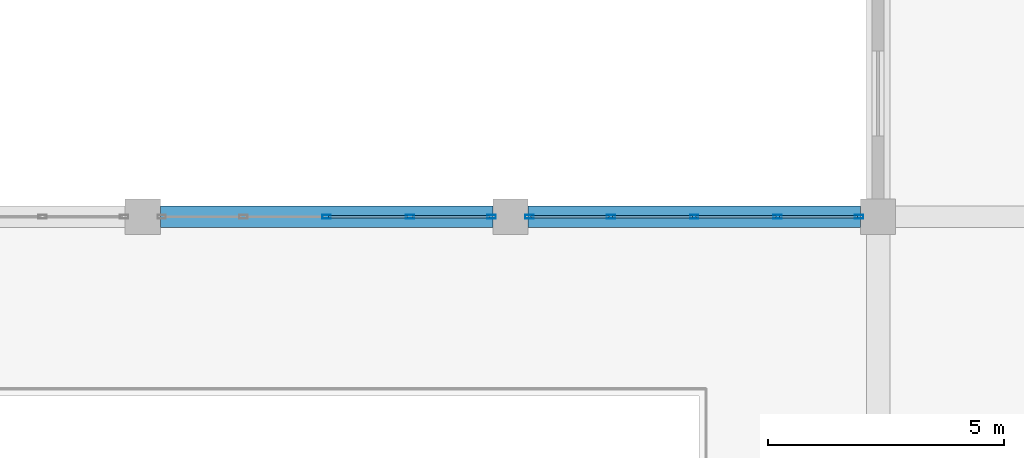
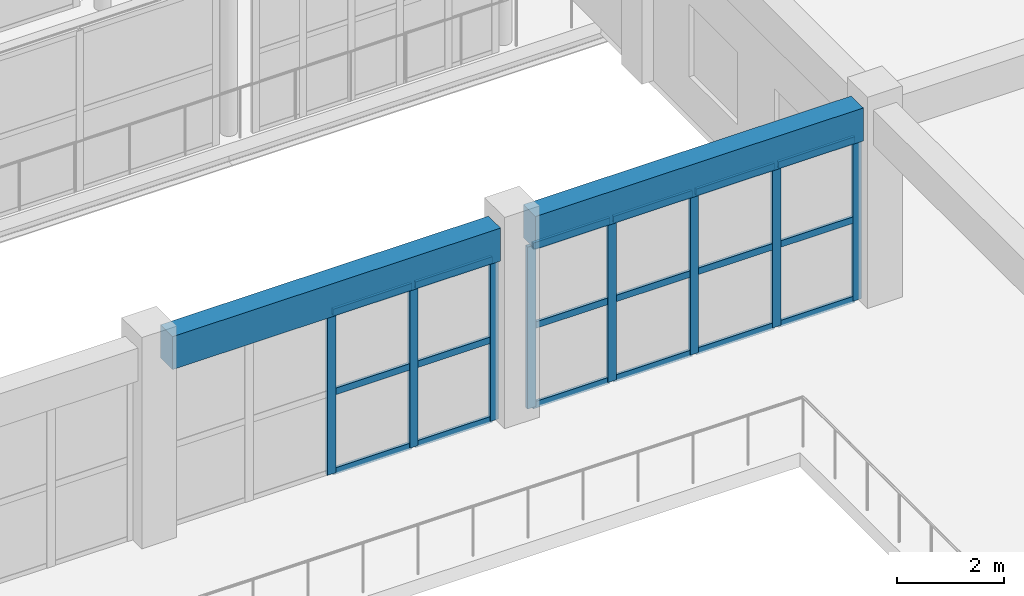
# One storey, part 52 of 175: 26 members, 2 beams, 2 elements without a shape of their own.
"""IFC4 building model written with IfcOpenShell, lengths in metres."""

from ifc_helpers import new_model, si_unit, direction, frame, origin, origin_2d, place, context, subcontext, project, spatial, rectangle, hollow_rectangle, extrude, material, layer, layer_set, material_profile, profile_set, type_object, element, aggregate, save


model = new_model("IFC4")

# Units and contexts
model_context = context("Model", 3, precision=1e-05, world=origin(), true_north=direction((0.0, 1.0)))
body_context = subcontext(model_context, "Body", "Model", "MODEL_VIEW")
ifc_project = project(units=[si_unit("LENGTHUNIT", "METRE"), si_unit("AREAUNIT", "SQUARE_METRE"), si_unit("VOLUMEUNIT", "CUBIC_METRE"), si_unit("PLANEANGLEUNIT", "RADIAN"), si_unit("MASSUNIT", "GRAM", prefix="KILO")], contexts=[model_context])

# Site, building, storey
site_placement = place(None, origin())
site = spatial("IfcSite", under=ifc_project, at=site_placement, CompositionType="ELEMENT")
building_placement = place(site_placement, origin())
building = spatial("IfcBuilding", under=site, at=building_placement, Name="Zizhar Promenade General Hospital", CompositionType="ELEMENT")
storey_placement = place(building_placement, frame((0.0, 0.0, 4.800048828125)))
storey = spatial("IfcBuildingStorey", under=building, at=storey_placement, Name="L01", CompositionType="ELEMENT", Elevation=4.800048828125)

# Beams
ifc_material_1 = material(Name="Concrete C35/45", Category="concrete")
ifc_material_profile_1 = material_profile(ifc_material_1, rectangle(XDim=0.449951171875, YDim=0.75, at=origin_2d()))
ifc_profile_set_1 = profile_set([ifc_material_profile_1], Name="Concrete C35/45")
beam_type = type_object("IfcBeamType", Name="BM-RC-450x750", PredefinedType="BEAM", material=ifc_profile_set_1)
for number, where, z_axis, x_axis, name in (
    (1, (109.574951171875, 50.39990234375, 4.094970703125), (1.0, 0.0, 0.0), (0.0, 1.0, 0.0), "Grid Beam X L01 (14-6)"),
    (2, (117.375, 50.39990234375, 4.094970703125), (1.0, 0.0, 0.0), (0.0, 1.0, 0.0), "Grid Beam X L01 (15-6)"),
):
    element("IfcBeam", number, at=place(storey_placement, frame(where, z_axis=z_axis, x_axis=x_axis)), inside=storey, type_object=beam_type, Name=name, PredefinedType="BEAM", context=body_context, shape_type="SweptSolid", body=[
        extrude(rectangle(XDim=0.449951171875, YDim=0.75, at=origin_2d()), origin(), (0.0, 0.0, 1.0), 7.050048828125),
    ])

# Curtain wall, members
ifc_material_2 = material(Name="Anodised aluminium 6063-T6 and low-E glass", Category="aluminium")
ifc_layer = layer(ifc_material_2, 0.159912109375)
ifc_layer_set = layer_set([ifc_layer], Name="Anodised aluminium 6063-T6 and low-E glass")
curtain_wall_type = type_object("IfcCurtainWallType", Name="CW-HALL-N", PredefinedType="NOTDEFINED", material=ifc_layer_set)
curtain_wall_1_placement = place(storey_placement, origin())
curtain_wall_1 = element("IfcCurtainWall", 3, at=curtain_wall_1_placement, inside=storey, type_object=curtain_wall_type, Name="Main Hall Courtyard Curtain Wall L01-14", PredefinedType="NOTDEFINED")
ifc_material_3 = material(Name="Anodised aluminium 6063-T6", Category="aluminium")
ifc_material_profile_2 = material_profile(ifc_material_3, hollow_rectangle(XDim=0.080078125, YDim=0.179931640625, WallThickness=0.0048828125, at=origin_2d()))
ifc_profile_set_2 = profile_set([ifc_material_profile_2], Name="Anodised aluminium 6063-T6")
member_type_1 = type_object("IfcMemberType", Name="CWM-ALU-180x80", PredefinedType="MULLION", material=ifc_profile_set_2)
member_1_placement = place(storey_placement, frame((113.10009765625, 50.39990234375, 0.0), z_axis=(0.0, 0.0, 1.0), x_axis=(0.0, 1.0, 0.0)))
member_1 = element("IfcMember", 4, at=member_1_placement, type_object=member_type_1, Name="CW-02 mullion 3", PredefinedType="MULLION", context=body_context, shape_type="SweptSolid", body=[
    extrude(hollow_rectangle(XDim=0.080078125, YDim=0.179931640625, WallThickness=0.0048828125, at=origin_2d()), origin(), (0.0, 0.0, 1.0), 3.679931640625),
])
member_2_placement = place(storey_placement, frame((114.8701171875, 50.39990234375, 0.0), z_axis=(0.0, 0.0, 1.0), x_axis=(0.0, 1.0, 0.0)))
member_2 = element("IfcMember", 5, at=member_2_placement, type_object=member_type_1, Name="CW-02 mullion 4", PredefinedType="MULLION", context=body_context, shape_type="SweptSolid", body=[
    extrude(hollow_rectangle(XDim=0.080078125, YDim=0.179931640625, WallThickness=0.0048828125, at=origin_2d()), origin(), (0.0, 0.0, 1.0), 3.679931640625),
])
member_3_placement = place(storey_placement, frame((116.60009765625, 50.39990234375, 0.0), z_axis=(0.0, 0.0, 1.0), x_axis=(0.0, 1.0, 0.0)))
member_3 = element("IfcMember", 6, at=member_3_placement, type_object=member_type_1, Name="CW-02 mullion 5", PredefinedType="MULLION", context=body_context, shape_type="SweptSolid", body=[
    extrude(hollow_rectangle(XDim=0.080078125, YDim=0.179931640625, WallThickness=0.0048828125, at=origin_2d()), origin(), (0.0, 0.0, 1.0), 3.679931640625),
])

curtain_wall_2_placement = place(storey_placement, origin())
curtain_wall_2 = element("IfcCurtainWall", 7, at=curtain_wall_2_placement, inside=storey, type_object=curtain_wall_type, Name="Main Hall Courtyard Curtain Wall L01-15", PredefinedType="NOTDEFINED")
member_4_placement = place(storey_placement, frame((117.39990234375, 50.39990234375, 0.0), z_axis=(0.0, 0.0, 1.0), x_axis=(0.0, 1.0, 0.0)))
member_4 = element("IfcMember", 8, at=member_4_placement, type_object=member_type_1, Name="CW-02 mullion 1", PredefinedType="MULLION", context=body_context, shape_type="SweptSolid", body=[
    extrude(hollow_rectangle(XDim=0.080078125, YDim=0.179931640625, WallThickness=0.0048828125, at=origin_2d()), origin(), (0.0, 0.0, 1.0), 3.679931640625),
])
member_5_placement = place(storey_placement, frame((119.1298828125, 50.39990234375, 0.0), z_axis=(0.0, 0.0, 1.0), x_axis=(0.0, 1.0, 0.0)))
member_5 = element("IfcMember", 9, at=member_5_placement, type_object=member_type_1, Name="CW-02 mullion 2", PredefinedType="MULLION", context=body_context, shape_type="SweptSolid", body=[
    extrude(hollow_rectangle(XDim=0.080078125, YDim=0.179931640625, WallThickness=0.0048828125, at=origin_2d()), origin(), (0.0, 0.0, 1.0), 3.679931640625),
])
member_6_placement = place(storey_placement, frame((120.89990234375, 50.39990234375, 0.0), z_axis=(0.0, 0.0, 1.0), x_axis=(0.0, 1.0, 0.0)))
member_6 = element("IfcMember", 10, at=member_6_placement, type_object=member_type_1, Name="CW-02 mullion 3", PredefinedType="MULLION", context=body_context, shape_type="SweptSolid", body=[
    extrude(hollow_rectangle(XDim=0.080078125, YDim=0.179931640625, WallThickness=0.0048828125, at=origin_2d()), origin(), (0.0, 0.0, 1.0), 3.679931640625),
])
member_7_placement = place(storey_placement, frame((122.669921875, 50.39990234375, 0.0), z_axis=(0.0, 0.0, 1.0), x_axis=(0.0, 1.0, 0.0)))
member_7 = element("IfcMember", 11, at=member_7_placement, type_object=member_type_1, Name="CW-02 mullion 4", PredefinedType="MULLION", context=body_context, shape_type="SweptSolid", body=[
    extrude(hollow_rectangle(XDim=0.080078125, YDim=0.179931640625, WallThickness=0.0048828125, at=origin_2d()), origin(), (0.0, 0.0, 1.0), 3.679931640625),
])
member_8_placement = place(storey_placement, frame((124.39990234375, 50.39990234375, 0.0), z_axis=(0.0, 0.0, 1.0), x_axis=(0.0, 1.0, 0.0)))
member_8 = element("IfcMember", 12, at=member_8_placement, type_object=member_type_1, Name="CW-02 mullion 5", PredefinedType="MULLION", context=body_context, shape_type="SweptSolid", body=[
    extrude(hollow_rectangle(XDim=0.080078125, YDim=0.179931640625, WallThickness=0.0048828125, at=origin_2d()), origin(), (0.0, 0.0, 1.0), 3.679931640625),
])

# Member
ifc_material_4 = material(Name="Anodised aluminium 6063-T6", Category="aluminium")
ifc_material_profile_3 = material_profile(ifc_material_4, hollow_rectangle(XDim=0.06005859375, YDim=0.14990234375, WallThickness=0.00390625, at=origin_2d()))
ifc_profile_set_3 = profile_set([ifc_material_profile_3], Name="Anodised aluminium 6063-T6")
member_type_2 = type_object("IfcMemberType", Name="CWT-ALU-150x60", PredefinedType="USERDEFINED", material=ifc_profile_set_3)
member_9_placement = place(storey_placement, frame((113.139892578125, 50.39990234375, 0.030029296875), z_axis=(1.0, 0.0, 0.0), x_axis=(0.0, 1.0, 0.0)))
member_9 = element("IfcMember", 13, at=member_9_placement, type_object=member_type_2, Name="CW-02 transom 3.1", ObjectType="TRANSOM", PredefinedType="USERDEFINED", context=body_context, shape_type="SweptSolid", body=[
    extrude(hollow_rectangle(XDim=0.06005859375, YDim=0.14990234375, WallThickness=0.00390625, at=origin_2d()), origin(), (0.0, 0.0, 1.0), 1.690185546875),
])

member_10_placement = place(storey_placement, frame((113.139892578125, 50.39990234375, 1.83984375), z_axis=(1.0, 0.0, 0.0), x_axis=(0.0, 1.0, 0.0)))
member_10 = element("IfcMember", 14, at=member_10_placement, type_object=member_type_2, Name="CW-02 transom 3.2", ObjectType="TRANSOM", PredefinedType="USERDEFINED", context=body_context, shape_type="SweptSolid", body=[
    extrude(hollow_rectangle(XDim=0.06005859375, YDim=0.14990234375, WallThickness=0.00390625, at=origin_2d()), origin(), (0.0, 0.0, 1.0), 1.690185546875),
])

member_11_placement = place(storey_placement, frame((113.139892578125, 50.39990234375, 3.64990234375), z_axis=(1.0, 0.0, 0.0), x_axis=(0.0, 1.0, 0.0)))
member_11 = element("IfcMember", 15, at=member_11_placement, type_object=member_type_2, Name="CW-02 transom 3.3", ObjectType="TRANSOM", PredefinedType="USERDEFINED", context=body_context, shape_type="SweptSolid", body=[
    extrude(hollow_rectangle(XDim=0.06005859375, YDim=0.14990234375, WallThickness=0.00390625, at=origin_2d()), origin(), (0.0, 0.0, 1.0), 1.690185546875),
])

member_12_placement = place(storey_placement, frame((114.909912109375, 50.39990234375, 0.030029296875), z_axis=(1.0, 0.0, 0.0), x_axis=(0.0, 1.0, 0.0)))
member_12 = element("IfcMember", 16, at=member_12_placement, type_object=member_type_2, Name="CW-02 transom 4.1", ObjectType="TRANSOM", PredefinedType="USERDEFINED", context=body_context, shape_type="SweptSolid", body=[
    extrude(hollow_rectangle(XDim=0.06005859375, YDim=0.14990234375, WallThickness=0.00390625, at=origin_2d()), origin(), (0.0, 0.0, 1.0), 1.650146484375),
])

member_13_placement = place(storey_placement, frame((114.909912109375, 50.39990234375, 1.83984375), z_axis=(1.0, 0.0, 0.0), x_axis=(0.0, 1.0, 0.0)))
member_13 = element("IfcMember", 17, at=member_13_placement, type_object=member_type_2, Name="CW-02 transom 4.2", ObjectType="TRANSOM", PredefinedType="USERDEFINED", context=body_context, shape_type="SweptSolid", body=[
    extrude(hollow_rectangle(XDim=0.06005859375, YDim=0.14990234375, WallThickness=0.00390625, at=origin_2d()), origin(), (0.0, 0.0, 1.0), 1.650146484375),
])

member_14_placement = place(storey_placement, frame((114.909912109375, 50.39990234375, 3.64990234375), z_axis=(1.0, 0.0, 0.0), x_axis=(0.0, 1.0, 0.0)))
member_14 = element("IfcMember", 18, at=member_14_placement, type_object=member_type_2, Name="CW-02 transom 4.3", ObjectType="TRANSOM", PredefinedType="USERDEFINED", context=body_context, shape_type="SweptSolid", body=[
    extrude(hollow_rectangle(XDim=0.06005859375, YDim=0.14990234375, WallThickness=0.00390625, at=origin_2d()), origin(), (0.0, 0.0, 1.0), 1.650146484375),
])

aggregate(curtain_wall_1, [member_1, member_2, member_3, member_9, member_10, member_11, member_12, member_13, member_14])

member_15_placement = place(storey_placement, frame((117.43994140625, 50.39990234375, 0.030029296875), z_axis=(1.0, 0.0, 0.0), x_axis=(0.0, 1.0, 0.0)))
member_15 = element("IfcMember", 19, at=member_15_placement, type_object=member_type_2, Name="CW-02 transom 1.1", ObjectType="TRANSOM", PredefinedType="USERDEFINED", context=body_context, shape_type="SweptSolid", body=[
    extrude(hollow_rectangle(XDim=0.06005859375, YDim=0.14990234375, WallThickness=0.00390625, at=origin_2d()), origin(), (0.0, 0.0, 1.0), 1.650146484375),
])

member_16_placement = place(storey_placement, frame((117.43994140625, 50.39990234375, 1.83984375), z_axis=(1.0, 0.0, 0.0), x_axis=(0.0, 1.0, 0.0)))
member_16 = element("IfcMember", 20, at=member_16_placement, type_object=member_type_2, Name="CW-02 transom 1.2", ObjectType="TRANSOM", PredefinedType="USERDEFINED", context=body_context, shape_type="SweptSolid", body=[
    extrude(hollow_rectangle(XDim=0.06005859375, YDim=0.14990234375, WallThickness=0.00390625, at=origin_2d()), origin(), (0.0, 0.0, 1.0), 1.650146484375),
])

member_17_placement = place(storey_placement, frame((117.43994140625, 50.39990234375, 3.64990234375), z_axis=(1.0, 0.0, 0.0), x_axis=(0.0, 1.0, 0.0)))
member_17 = element("IfcMember", 21, at=member_17_placement, type_object=member_type_2, Name="CW-02 transom 1.3", ObjectType="TRANSOM", PredefinedType="USERDEFINED", context=body_context, shape_type="SweptSolid", body=[
    extrude(hollow_rectangle(XDim=0.06005859375, YDim=0.14990234375, WallThickness=0.00390625, at=origin_2d()), origin(), (0.0, 0.0, 1.0), 1.650146484375),
])

member_18_placement = place(storey_placement, frame((119.169921875, 50.39990234375, 0.030029296875), z_axis=(1.0, 0.0, 0.0), x_axis=(0.0, 1.0, 0.0)))
member_18 = element("IfcMember", 22, at=member_18_placement, type_object=member_type_2, Name="CW-02 transom 2.1", ObjectType="TRANSOM", PredefinedType="USERDEFINED", context=body_context, shape_type="SweptSolid", body=[
    extrude(hollow_rectangle(XDim=0.06005859375, YDim=0.14990234375, WallThickness=0.00390625, at=origin_2d()), origin(), (0.0, 0.0, 1.0), 1.690185546875),
])

member_19_placement = place(storey_placement, frame((119.169921875, 50.39990234375, 1.83984375), z_axis=(1.0, 0.0, 0.0), x_axis=(0.0, 1.0, 0.0)))
member_19 = element("IfcMember", 23, at=member_19_placement, type_object=member_type_2, Name="CW-02 transom 2.2", ObjectType="TRANSOM", PredefinedType="USERDEFINED", context=body_context, shape_type="SweptSolid", body=[
    extrude(hollow_rectangle(XDim=0.06005859375, YDim=0.14990234375, WallThickness=0.00390625, at=origin_2d()), origin(), (0.0, 0.0, 1.0), 1.690185546875),
])

member_20_placement = place(storey_placement, frame((119.169921875, 50.39990234375, 3.64990234375), z_axis=(1.0, 0.0, 0.0), x_axis=(0.0, 1.0, 0.0)))
member_20 = element("IfcMember", 24, at=member_20_placement, type_object=member_type_2, Name="CW-02 transom 2.3", ObjectType="TRANSOM", PredefinedType="USERDEFINED", context=body_context, shape_type="SweptSolid", body=[
    extrude(hollow_rectangle(XDim=0.06005859375, YDim=0.14990234375, WallThickness=0.00390625, at=origin_2d()), origin(), (0.0, 0.0, 1.0), 1.690185546875),
])

member_21_placement = place(storey_placement, frame((120.93994140625, 50.39990234375, 0.030029296875), z_axis=(1.0, 0.0, 0.0), x_axis=(0.0, 1.0, 0.0)))
member_21 = element("IfcMember", 25, at=member_21_placement, type_object=member_type_2, Name="CW-02 transom 3.1", ObjectType="TRANSOM", PredefinedType="USERDEFINED", context=body_context, shape_type="SweptSolid", body=[
    extrude(hollow_rectangle(XDim=0.06005859375, YDim=0.14990234375, WallThickness=0.00390625, at=origin_2d()), origin(), (0.0, 0.0, 1.0), 1.68994140625),
])

member_22_placement = place(storey_placement, frame((120.93994140625, 50.39990234375, 1.83984375), z_axis=(1.0, 0.0, 0.0), x_axis=(0.0, 1.0, 0.0)))
member_22 = element("IfcMember", 26, at=member_22_placement, type_object=member_type_2, Name="CW-02 transom 3.2", ObjectType="TRANSOM", PredefinedType="USERDEFINED", context=body_context, shape_type="SweptSolid", body=[
    extrude(hollow_rectangle(XDim=0.06005859375, YDim=0.14990234375, WallThickness=0.00390625, at=origin_2d()), origin(), (0.0, 0.0, 1.0), 1.68994140625),
])

member_23_placement = place(storey_placement, frame((120.93994140625, 50.39990234375, 3.64990234375), z_axis=(1.0, 0.0, 0.0), x_axis=(0.0, 1.0, 0.0)))
member_23 = element("IfcMember", 27, at=member_23_placement, type_object=member_type_2, Name="CW-02 transom 3.3", ObjectType="TRANSOM", PredefinedType="USERDEFINED", context=body_context, shape_type="SweptSolid", body=[
    extrude(hollow_rectangle(XDim=0.06005859375, YDim=0.14990234375, WallThickness=0.00390625, at=origin_2d()), origin(), (0.0, 0.0, 1.0), 1.68994140625),
])

member_24_placement = place(storey_placement, frame((122.7099609375, 50.39990234375, 0.030029296875), z_axis=(1.0, 0.0, 0.0), x_axis=(0.0, 1.0, 0.0)))
member_24 = element("IfcMember", 28, at=member_24_placement, type_object=member_type_2, Name="CW-02 transom 4.1", ObjectType="TRANSOM", PredefinedType="USERDEFINED", context=body_context, shape_type="SweptSolid", body=[
    extrude(hollow_rectangle(XDim=0.06005859375, YDim=0.14990234375, WallThickness=0.00390625, at=origin_2d()), origin(), (0.0, 0.0, 1.0), 1.650146484375),
])

member_25_placement = place(storey_placement, frame((122.7099609375, 50.39990234375, 1.83984375), z_axis=(1.0, 0.0, 0.0), x_axis=(0.0, 1.0, 0.0)))
member_25 = element("IfcMember", 29, at=member_25_placement, type_object=member_type_2, Name="CW-02 transom 4.2", ObjectType="TRANSOM", PredefinedType="USERDEFINED", context=body_context, shape_type="SweptSolid", body=[
    extrude(hollow_rectangle(XDim=0.06005859375, YDim=0.14990234375, WallThickness=0.00390625, at=origin_2d()), origin(), (0.0, 0.0, 1.0), 1.650146484375),
])

member_26_placement = place(storey_placement, frame((122.7099609375, 50.39990234375, 3.64990234375), z_axis=(1.0, 0.0, 0.0), x_axis=(0.0, 1.0, 0.0)))
member_26 = element("IfcMember", 30, at=member_26_placement, type_object=member_type_2, Name="CW-02 transom 4.3", ObjectType="TRANSOM", PredefinedType="USERDEFINED", context=body_context, shape_type="SweptSolid", body=[
    extrude(hollow_rectangle(XDim=0.06005859375, YDim=0.14990234375, WallThickness=0.00390625, at=origin_2d()), origin(), (0.0, 0.0, 1.0), 1.650146484375),
])

aggregate(curtain_wall_2, [member_4, member_5, member_6, member_7, member_8, member_15, member_16, member_17, member_18, member_19, member_20, member_21, member_22, member_23, member_24, member_25, member_26])

save(model, "model.ifc")
